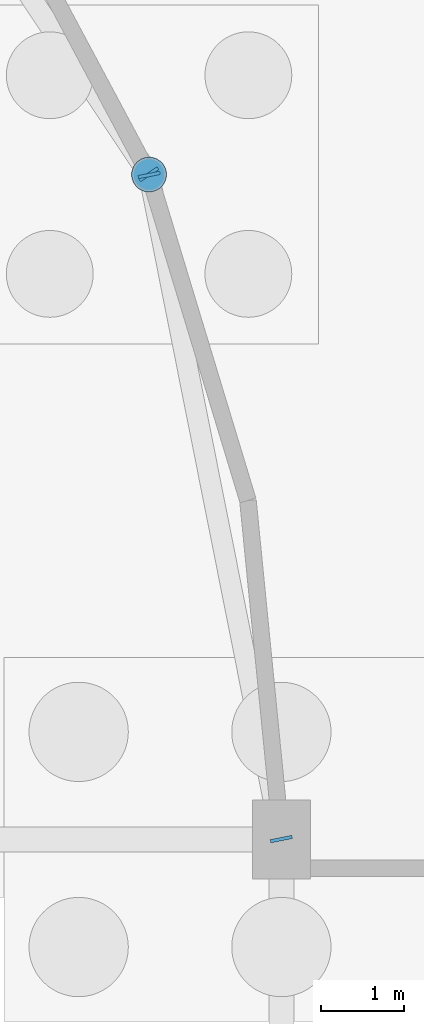
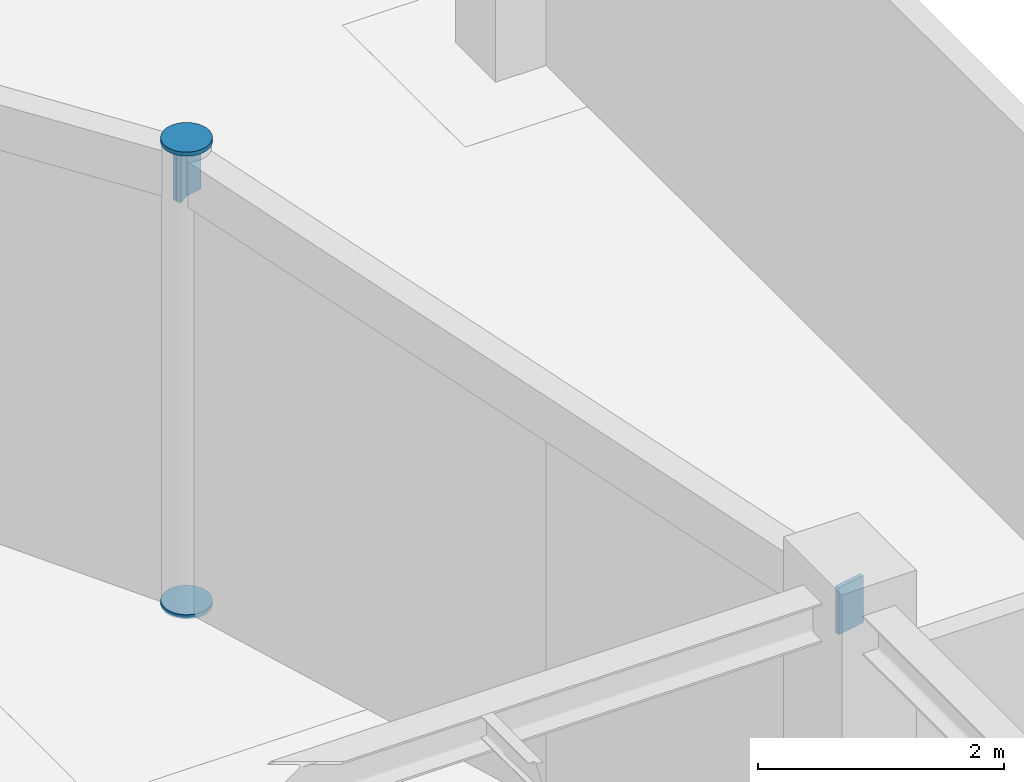
# One storey, part 142 of 160: 5 discrete accessories.
"""IFC4 building model written with IfcOpenShell, lengths in metres."""

from ifc_helpers import new_model, si_unit, direction, frame, origin, origin_2d, place, context, subcontext, project, spatial, rectangle, circle, extrude, material, element, save


model = new_model("IFC4")

# Units and contexts
model_context = context("Model", 3, precision=1e-05, world=origin(), true_north=direction((0.0, 1.0)))
body_context = subcontext(model_context, "Body", "Model", "MODEL_VIEW")
ifc_project = project(units=[si_unit("LENGTHUNIT", "METRE"), si_unit("AREAUNIT", "SQUARE_METRE"), si_unit("VOLUMEUNIT", "CUBIC_METRE"), si_unit("PLANEANGLEUNIT", "RADIAN"), si_unit("MASSUNIT", "GRAM", prefix="KILO")], contexts=[model_context])

# Site, building, storey
site_placement = place(None, origin())
site = spatial("IfcSite", under=ifc_project, at=site_placement, CompositionType="ELEMENT")
building_placement = place(site_placement, origin())
building = spatial("IfcBuilding", under=site, at=building_placement, Name="Marlcrest Central Station", CompositionType="ELEMENT")
storey_placement = place(building_placement, origin())
storey = spatial("IfcBuildingStorey", under=building, at=storey_placement, Name="L00", CompositionType="ELEMENT", Elevation=0.0)

# Discrete accessories
ifc_material = material(Name="Steel S355", Category="steel")
for number, where, z_axis, x_axis, name in (
    (1, (127.40087890625, 118.535888671875, -0.014892578125), (0.0, 0.0, 1.0), (1.0, 0.0, 0.0), "endcap-col-SC-10-L00-0867-s"),
    (2, (127.40087890625, 118.535888671875, 4.585205078125), (0.0, 0.0, 1.0), (1.0, 0.0, 0.0), "endcap-col-SC-10-L00-0867-e"),
):
    element("IfcDiscreteAccessory", number, at=place(storey_placement, frame(where, z_axis=z_axis, x_axis=x_axis)), inside=storey, material=ifc_material, Name=name, ObjectType="END_CAP_PLATE", PredefinedType="BRACKET", context=body_context, shape_type="SweptSolid", body=[
        extrude(circle(Radius=0.211181640625, at=origin_2d()), origin(), (0.0, 0.0, 1.0), 0.0400390625),
    ])
for number, where, z_axis, x_axis, name in (
    (3, (127.386962890625, 118.556640625, 4.294921875), (0.55551129271, -0.831508991937, 0.0), (0.831508991937, 0.55551129271, 0.0), "endcap-bm-SP-02-L00-01424-e"),
    (4, (127.39794921875, 118.550537109375, 4.294921875), (0.19517056122, -0.980769316421, 0.0), (0.980769316421, 0.19517056122, 0.0), "endcap-bm-SP-02-L00-01425-s"),
    (5, (128.9951171875, 110.5244140625, 4.294921875), (0.19517056122, -0.980769316421, 0.0), (0.980769316421, 0.19517056122, 0.0), "endcap-bm-SP-02-L00-01425-e"),
):
    element("IfcDiscreteAccessory", number, at=place(storey_placement, frame(where, z_axis=z_axis, x_axis=x_axis)), inside=storey, material=ifc_material, Name=name, ObjectType="END_CAP_PLATE", PredefinedType="BRACKET", context=body_context, shape_type="SweptSolid", body=[
        extrude(rectangle(XDim=0.26611328125, YDim=0.466064453125, at=origin_2d()), origin(), (0.0, 0.0, 1.0), 0.0400390625),
    ])

save(model, "model.ifc")
